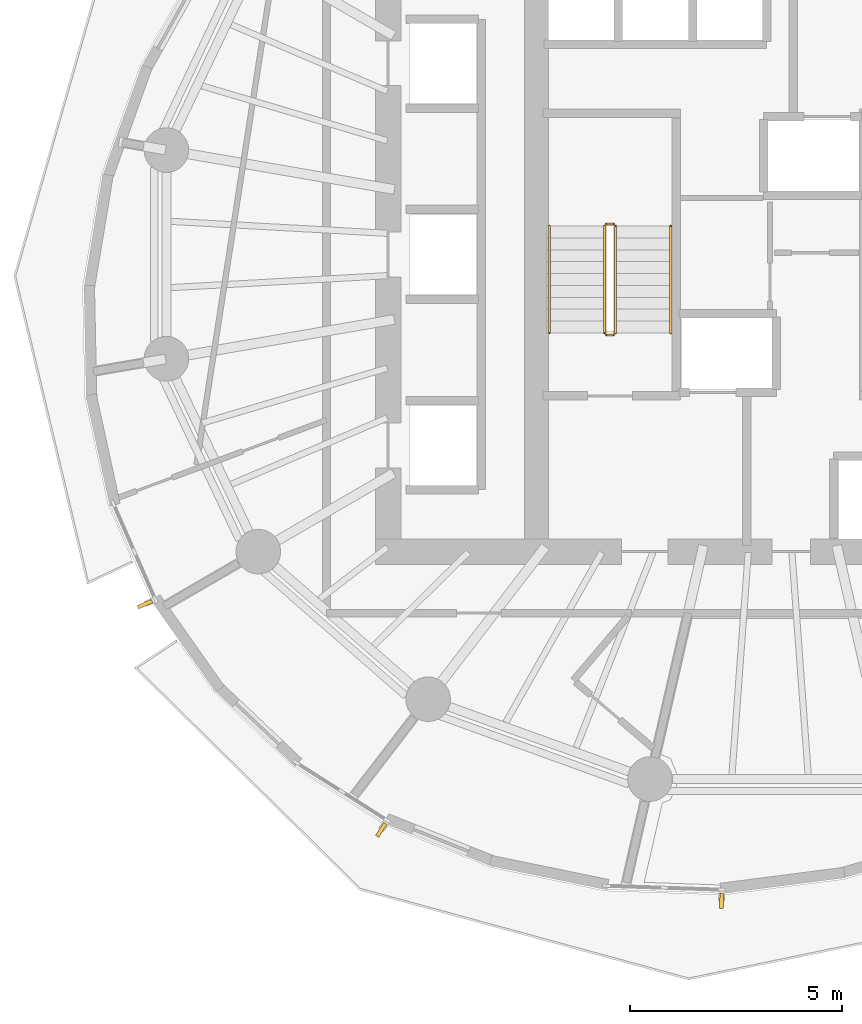
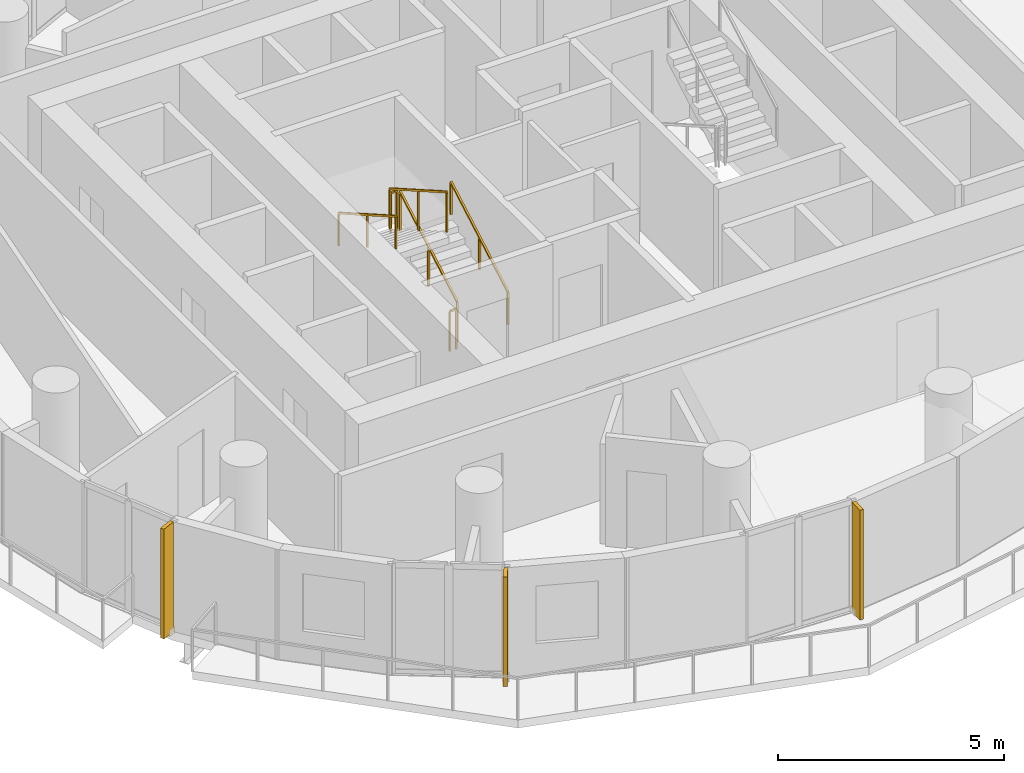
# One storey, part 9 of 13: 6 railings, 3 shading devices.
"""IFC4 building model written with IfcOpenShell, lengths in metres."""

from ifc_helpers import new_model, si_unit, direction, frame, origin, origin_2d, place, context, subcontext, project, spatial, rectangle, extrude, material, layer, layer_set, type_object, element, save


model = new_model("IFC4")

# Units and contexts
model_context = context("Model", 3, precision=1e-05, world=origin(), true_north=direction((0.0, 1.0)))
body_context = subcontext(model_context, "Body", "Model", "MODEL_VIEW")
ifc_project = project(units=[si_unit("LENGTHUNIT", "METRE"), si_unit("AREAUNIT", "SQUARE_METRE"), si_unit("VOLUMEUNIT", "CUBIC_METRE"), si_unit("PLANEANGLEUNIT", "RADIAN"), si_unit("MASSUNIT", "GRAM", prefix="KILO")], contexts=[model_context])

# Site, building, storey
site_placement = place(None, origin())
site = spatial("IfcSite", under=ifc_project, at=site_placement, CompositionType="ELEMENT")
building_placement = place(site_placement, origin())
building = spatial("IfcBuilding", under=site, at=building_placement, Name="Veldorim Arch Residences", CompositionType="ELEMENT")
storey_placement = place(building_placement, frame((0.0, 0.0, 120.159912109375)))
storey = spatial("IfcBuildingStorey", under=building, at=storey_placement, Name="L35", CompositionType="ELEMENT", Elevation=120.159912109375)

# Railings
ifc_material_1 = material(Name="Steel S355", Category="steel")
railing_type_1 = type_object("IfcRailingType", Name="Galvanised Steel Stair Safety Guardrail 1100", PredefinedType="GUARDRAIL", material=ifc_material_1)
railing_1_placement = place(storey_placement, frame((28.360107421875, 22.14990234375, 0.16015625)))
element("IfcRailing", 1, at=railing_1_placement, inside=storey, type_object=railing_type_1, Name="L35 ST-1 stair guard 1", PredefinedType="GUARDRAIL", context=body_context, shape_type="SweptSolid", body=[
    extrude(rectangle(XDim=0.048095703125, YDim=0.048095703125, at=origin_2d()), frame((0.0, 0.0, 1.076171875), z_axis=(0.0, 0.868253494771, 0.496120820787), x_axis=(-1.0, 0.0, 0.0)), (0.0, 0.0, 1.0), 2.90234375),
    extrude(rectangle(XDim=0.0419921875, YDim=0.0419921875, at=origin_2d()), origin(), (0.0, 0.0, 1.0), 1.052001953125),
    extrude(rectangle(XDim=0.0419921875, YDim=0.0419921875, at=origin_2d()), frame((0.0, 1.260009765625, 0.719970703125)), (0.0, 0.0, 1.0), 1.052001953125),
    extrude(rectangle(XDim=0.0419921875, YDim=0.0419921875, at=origin_2d()), frame((0.0, 2.52001953125, 1.43994140625)), (0.0, 0.0, 1.0), 1.052001953125),
])
railing_2_placement = place(storey_placement, frame((28.31005859375, 24.719970703125, 1.60009765625)))
element("IfcRailing", 2, at=railing_2_placement, inside=storey, type_object=railing_type_1, Name="L35 ST-1 stair guard 2", PredefinedType="GUARDRAIL", context=body_context, shape_type="SweptSolid", body=[
    extrude(rectangle(XDim=0.048095703125, YDim=0.048095703125, at=origin_2d()), frame((0.0, 0.0, 1.076171875), z_axis=(-1.0, 0.0, 0.0), x_axis=(0.0, -1.0, 0.0)), (0.0, 0.0, 1.0), 0.16015625),
    extrude(rectangle(XDim=0.0419921875, YDim=0.0419921875, at=origin_2d()), origin(), (0.0, 0.0, 1.0), 1.052001953125),
    extrude(rectangle(XDim=0.0419921875, YDim=0.0419921875, at=origin_2d()), frame((-0.16015625, 0.0, 0.0)), (0.0, 0.0, 1.0), 1.052001953125),
])
railing_3_placement = place(storey_placement, frame((28.10009765625, 24.669921875, 1.760009765625)))
element("IfcRailing", 3, at=railing_3_placement, inside=storey, type_object=railing_type_1, Name="L35 ST-1 stair guard 3", PredefinedType="GUARDRAIL", context=body_context, shape_type="SweptSolid", body=[
    extrude(rectangle(XDim=0.048095703125, YDim=0.048095703125, at=origin_2d()), frame((0.0, 0.0, 1.076171875), z_axis=(0.0, -0.868217259934, 0.496184229447), x_axis=(1.0, 0.0, 0.0)), (0.0, 0.0, 1.0), 2.902587890625),
    extrude(rectangle(XDim=0.0419921875, YDim=0.0419921875, at=origin_2d()), origin(), (0.0, 0.0, 1.0), 1.052001953125),
    extrude(rectangle(XDim=0.0419921875, YDim=0.0419921875, at=origin_2d()), frame((0.0, -1.260009765625, 0.72021484375)), (0.0, 0.0, 1.0), 1.052001953125),
    extrude(rectangle(XDim=0.0419921875, YDim=0.0419921875, at=origin_2d()), frame((0.0, -2.52001953125, 1.440185546875)), (0.0, 0.0, 1.0), 1.052001953125),
])
railing_4_placement = place(storey_placement, frame((28.31005859375, 22.10009765625, 0.0)))
element("IfcRailing", 4, at=railing_4_placement, inside=storey, type_object=railing_type_1, Name="L35 ST-1 stair guard 4", PredefinedType="GUARDRAIL", context=body_context, shape_type="SweptSolid", body=[
    extrude(rectangle(XDim=0.048095703125, YDim=0.048095703125, at=origin_2d()), frame((0.0, 0.0, 1.076171875), z_axis=(-1.0, 0.0, 0.0), x_axis=(0.0, -1.0, 0.0)), (0.0, 0.0, 1.0), 0.16015625),
    extrude(rectangle(XDim=0.0419921875, YDim=0.0419921875, at=origin_2d()), origin(), (0.0, 0.0, 1.0), 1.052001953125),
    extrude(rectangle(XDim=0.0419921875, YDim=0.0419921875, at=origin_2d()), frame((-0.16015625, 0.0, 0.0)), (0.0, 0.0, 1.0), 1.052001953125),
])
ifc_material_2 = material(Name="Stainless Steel", Category="steel")
railing_type_2 = type_object("IfcRailingType", Name="Tubular Steel Continuous Wall Handrail 900", PredefinedType="HANDRAIL", material=ifc_material_2)
railing_5_placement = place(storey_placement, frame((29.659912109375, 22.14990234375, 0.16015625)))
element("IfcRailing", 5, at=railing_5_placement, inside=storey, type_object=railing_type_2, Name="L35 ST-1 stair handrail 1", PredefinedType="HANDRAIL", context=body_context, shape_type="SweptSolid", body=[
    extrude(rectangle(XDim=0.048095703125, YDim=0.048095703125, at=origin_2d()), frame((0.0, 0.0, 0.8759765625), z_axis=(0.0, 0.868253494771, 0.496120820787), x_axis=(-1.0, 0.0, 0.0)), (0.0, 0.0, 1.0), 2.90234375),
    extrude(rectangle(XDim=0.0419921875, YDim=0.0419921875, at=origin_2d()), origin(), (0.0, 0.0, 1.0), 0.851806640625),
    extrude(rectangle(XDim=0.0419921875, YDim=0.0419921875, at=origin_2d()), frame((0.0, 1.260009765625, 0.719970703125)), (0.0, 0.0, 1.0), 0.851806640625),
    extrude(rectangle(XDim=0.0419921875, YDim=0.0419921875, at=origin_2d()), frame((0.0, 2.52001953125, 1.43994140625)), (0.0, 0.0, 1.0), 0.851806640625),
])
railing_6_placement = place(storey_placement, frame((26.800048828125, 24.669921875, 1.760009765625)))
element("IfcRailing", 6, at=railing_6_placement, inside=storey, type_object=railing_type_2, Name="L35 ST-1 stair handrail 2", PredefinedType="HANDRAIL", context=body_context, shape_type="SweptSolid", body=[
    extrude(rectangle(XDim=0.048095703125, YDim=0.048095703125, at=origin_2d()), frame((0.0, 0.0, 0.8759765625), z_axis=(0.0, -0.868217259934, 0.496184229447), x_axis=(1.0, 0.0, 0.0)), (0.0, 0.0, 1.0), 2.902587890625),
    extrude(rectangle(XDim=0.0419921875, YDim=0.0419921875, at=origin_2d()), origin(), (0.0, 0.0, 1.0), 0.851806640625),
    extrude(rectangle(XDim=0.0419921875, YDim=0.0419921875, at=origin_2d()), frame((0.0, -1.260009765625, 0.72021484375)), (0.0, 0.0, 1.0), 0.851806640625),
    extrude(rectangle(XDim=0.0419921875, YDim=0.0419921875, at=origin_2d()), frame((0.0, -2.52001953125, 1.440185546875)), (0.0, 0.0, 1.0), 0.851806640625),
])

# Shading devices
ifc_material_3 = material(Name="Terracotta Ceramic", Category="masonry")
ifc_layer = layer(ifc_material_3, 0.090087890625, Name="Vertical Extruded Terracotta Baguette Sun-Shading Fin")
ifc_layer_set = layer_set([ifc_layer], Name="Terracotta Ceramic")
shading_device_type = type_object("IfcShadingDeviceType", Name="Vertical Extruded Terracotta Baguette Sun-Shading Fin", PredefinedType="USERDEFINED", material=ifc_layer_set)
for number, where, z_axis, x_axis, name in (
    (7, (17.2763671875, 15.763671875, 0.0), (0.0, 0.0, 1.0), (-0.401148557352, 0.916013010243, 0.0), "L35 vertical terracotta sun-shading fin 18"),
    (8, (22.840576171875, 10.4462890625, 0.0), (0.0, 0.0, 1.0), (-0.844327925502, 0.535826794979, 0.0), "L35 vertical terracotta sun-shading fin 21"),
    (9, (30.857421875, 8.77197265625, 0.0), (0.0, 0.0, 1.0), (-0.999432718929, 0.033678484729, 0.0), "L35 vertical terracotta sun-shading fin 24"),
):
    element("IfcShadingDevice", number, at=place(storey_placement, frame(where, z_axis=z_axis, x_axis=x_axis)), inside=storey, type_object=shading_device_type, Name=name, ObjectType="FIN", PredefinedType="USERDEFINED", context=body_context, shape_type="SweptSolid", body=[
        extrude(rectangle(XDim=0.090087890625, YDim=0.360107421875, at=origin_2d()), origin(), (0.0, 0.0, 1.0), 2.9599609375),
    ])

save(model, "model.ifc")
